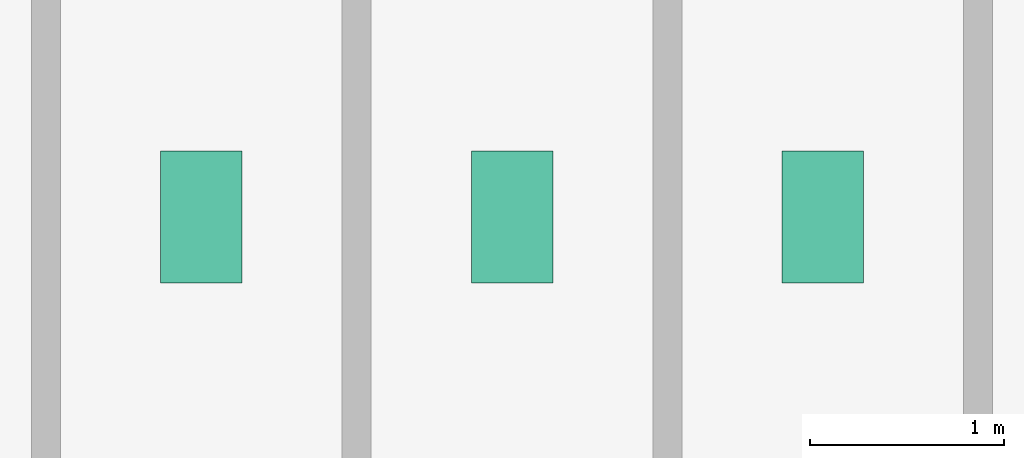
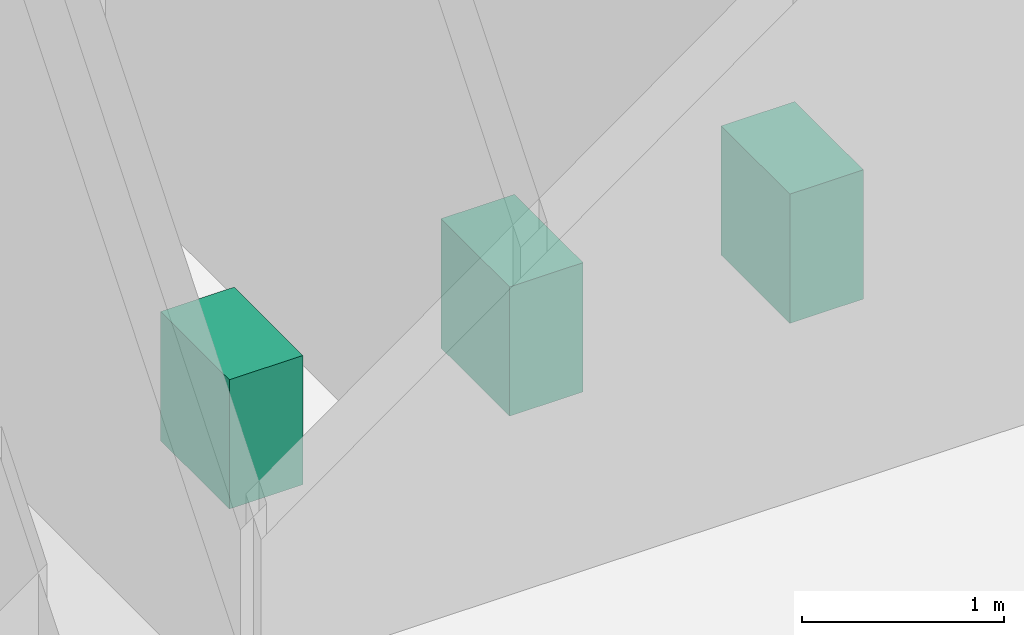
# One storey, part 26 of 26: 3 sanitary terminals.
"""IFC4 building model written with IfcOpenShell, lengths in metres."""

from ifc_helpers import new_model, si_unit, derived_unit, direction, frame, origin, origin_2d, place, context, subcontext, project, spatial, rectangle, extrude, source, transform, mapped, material, type_object, element, save


model = new_model("IFC4")

# Units and contexts
model_context = context("Model", 3, precision=1e-05, world=origin(), true_north=direction((0.0, 1.0)))
body_context = subcontext(model_context, "Body", "Model", "MODEL_VIEW")
ifc_project = project(units=[si_unit("LENGTHUNIT", "METRE"), si_unit("AREAUNIT", "SQUARE_METRE"), si_unit("VOLUMEUNIT", "CUBIC_METRE"), si_unit("PLANEANGLEUNIT", "RADIAN"), si_unit("MASSUNIT", "GRAM", prefix="KILO"), derived_unit("THERMALTRANSMITTANCEUNIT", [(si_unit("POWERUNIT", "WATT"), 1), (si_unit("LENGTHUNIT", "METRE"), -2), (si_unit("THERMODYNAMICTEMPERATUREUNIT", "KELVIN"), -1)])], contexts=[model_context])

# Site, building, storey
site_placement = place(None, origin())
site = spatial("IfcSite", under=ifc_project, at=site_placement, CompositionType="ELEMENT")
building_placement = place(site_placement, origin())
building = spatial("IfcBuilding", under=site, at=building_placement, Name="Skarnbrae Concourse Arena and Tower", CompositionType="ELEMENT")
storey_placement = place(building_placement, frame((0.0, 0.0, 114.199951171875)))
storey = spatial("IfcBuildingStorey", under=building, at=storey_placement, Name="L28", CompositionType="ELEMENT", Elevation=114.199951171875)

# Sanitary terminals
ifc_material = material(Name="Vitreous china sanitaryware", Category="other")
sanitary_terminal_type = type_object("IfcSanitaryTerminalType", Name="SAN-WC-VITREOUS", PredefinedType="TOILETPAN", material=ifc_material)
shared_shape = source(origin(), body_context, "Body", "SweptSolid", [
    extrude(rectangle(XDim=0.419921875, YDim=0.679931640625, at=origin_2d()), origin(), (0.0, 0.0, 1.0), 0.780029296875),
])
for number, where, z_axis, x_axis, name in (
    (1, (35.0, 11.39990234375, 0.0), (0.0, 0.0, 1.0), (1.0, 0.0, 0.0), "L28 Washroom WC fixture 1"),
    (2, (36.60009765625, 11.39990234375, 0.0), (0.0, 0.0, 1.0), (1.0, 0.0, 0.0), "L28 Washroom WC fixture 2"),
    (3, (38.199951171875, 11.39990234375, 0.0), (0.0, 0.0, 1.0), (1.0, 0.0, 0.0), "L28 Washroom WC fixture 3"),
):
    element("IfcSanitaryTerminal", number, at=place(storey_placement, frame(where, z_axis=z_axis, x_axis=x_axis)), inside=storey, type_object=sanitary_terminal_type, Name=name, PredefinedType="TOILETPAN", context=body_context, shape_type="MappedRepresentation", body=[
        mapped(shared_shape, transform((0.0, 0.0, 0.0))),
    ])

save(model, "model.ifc")
